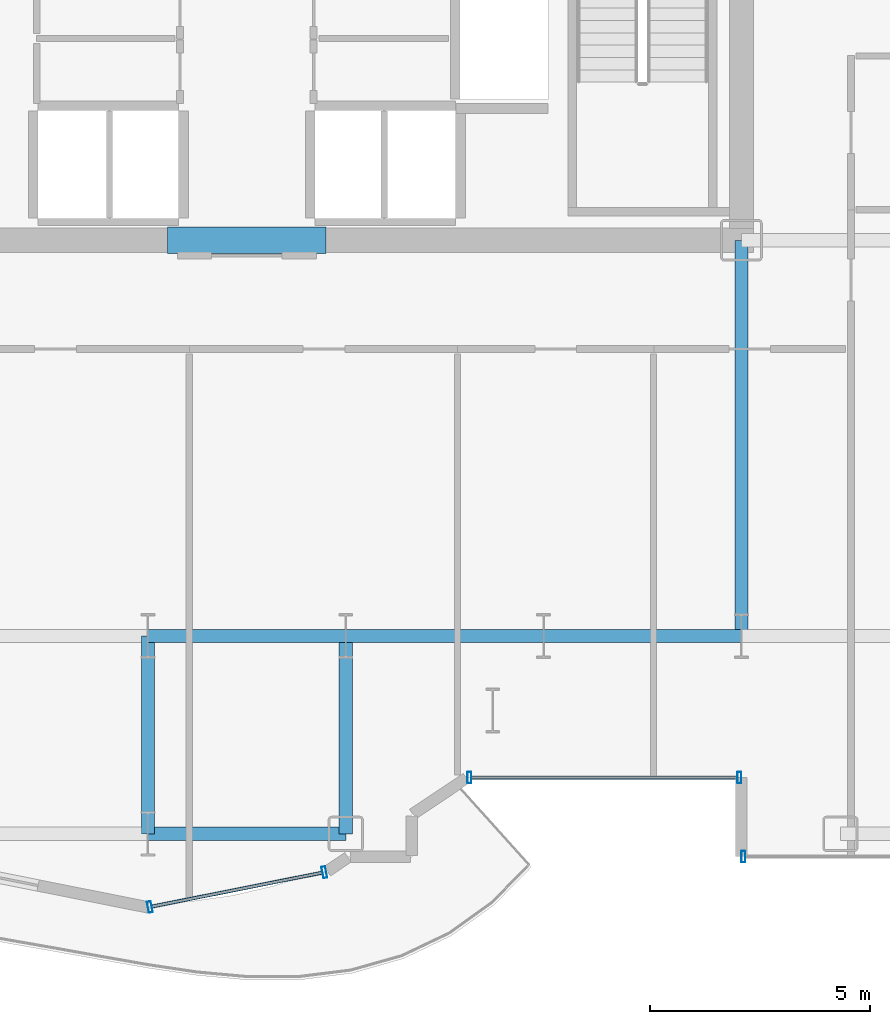
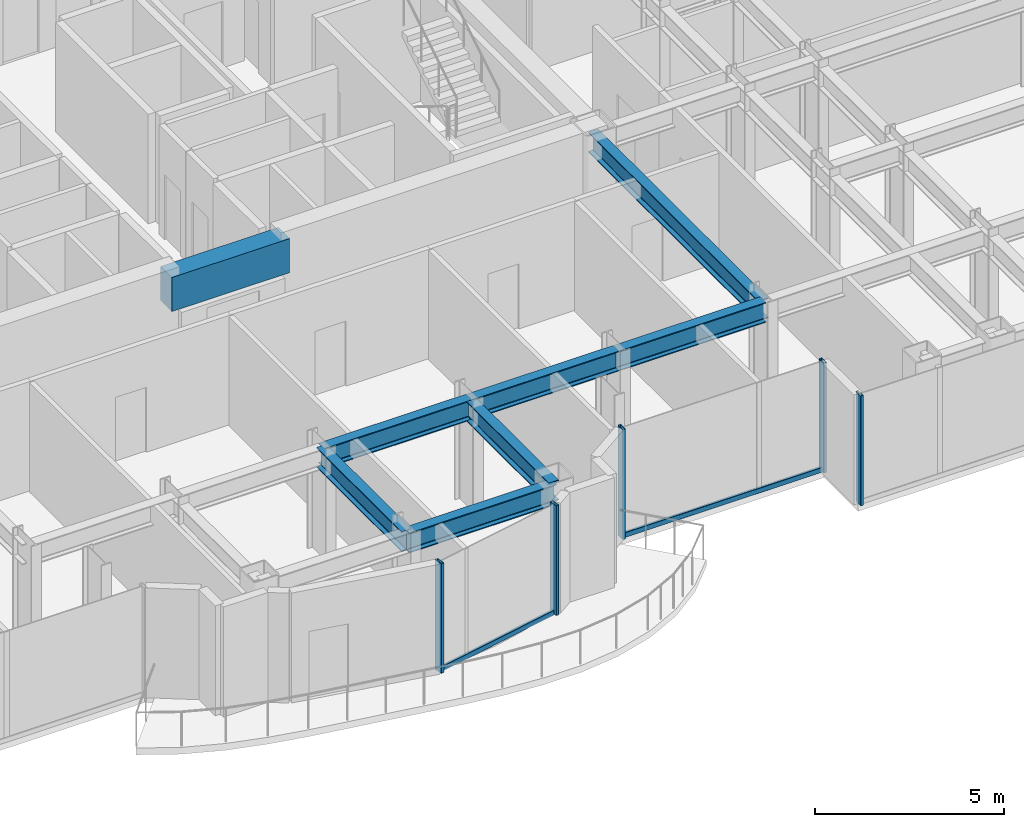
# One storey, part 8 of 29: 8 beams, 7 members, 3 elements without a shape of their own.
"""IFC4 building model written with IfcOpenShell, lengths in metres."""

from ifc_helpers import new_model, si_unit, direction, frame, origin, origin_2d, place, context, subcontext, project, spatial, rectangle, hollow_rectangle, i_section, extrude, source, transform, mapped, material, layer, layer_set, material_profile, profile_set, type_object, element, aggregate, save


model = new_model("IFC4")

# Units and contexts
model_context = context("Model", 3, precision=1e-05, world=origin(), true_north=direction((0.0, 1.0)))
body_context = subcontext(model_context, "Body", "Model", "MODEL_VIEW")
ifc_project = project(units=[si_unit("LENGTHUNIT", "METRE"), si_unit("AREAUNIT", "SQUARE_METRE"), si_unit("VOLUMEUNIT", "CUBIC_METRE"), si_unit("PLANEANGLEUNIT", "RADIAN"), si_unit("MASSUNIT", "GRAM", prefix="KILO")], contexts=[model_context])

# Site, building, storey
site_placement = place(None, origin())
site = spatial("IfcSite", under=ifc_project, at=site_placement, CompositionType="ELEMENT")
building_placement = place(site_placement, origin())
building = spatial("IfcBuilding", under=site, at=building_placement, Name="Nefas-Gora Pilgrimage Tower", CompositionType="ELEMENT")
storey_placement = place(building_placement, frame((0.0, 0.0, 125.0)))
storey = spatial("IfcBuildingStorey", under=building, at=storey_placement, Name="L30", CompositionType="ELEMENT", Elevation=125.0)

# Beams
ifc_material_1 = material(Name="Concrete C60/75", Category="concrete")
ifc_material_profile_1 = material_profile(ifc_material_1, rectangle(XDim=0.60009765625, YDim=1.10009765625, at=origin_2d()), Name="RC 600x1100")
ifc_profile_set_1 = profile_set([ifc_material_profile_1], Name="Concrete C60/75")
beam_type_1 = type_object("IfcBeamType", Name="BM-LIN-RC1100", PredefinedType="LINTEL", material=ifc_profile_set_1)
shared_shape_1 = source(origin(), body_context, "Body", "SweptSolid", [
    extrude(rectangle(XDim=0.60009765625, YDim=1.10009765625, at=origin_2d()), origin(), (0.0, 0.0, 1.0), 3.60009765625),
])
beam_1_placement = place(storey_placement, frame((-1.800048828125, -9.0, 3.0), z_axis=(1.0, 0.0, 0.0), x_axis=(0.0, 1.0, 0.0)))
element("IfcBeam", 1, at=beam_1_placement, inside=storey, type_object=beam_type_1, Name="L30 Core Coupling Lintel Beam S", PredefinedType="LINTEL", context=body_context, shape_type="MappedRepresentation", body=[
    mapped(shared_shape_1, transform((0.0, 0.0, 0.0), x_axis=(1.0, 0.0, 0.0), y_axis=(0.0, 1.0, 0.0), z_axis=(0.0, 0.0, 1.0), scale=1.0)),
])
ifc_material_2 = material(Name="Steel S355", Category="steel")
ifc_material_profile_2 = material_profile(ifc_material_2, i_section(OverallWidth=0.300048828125, OverallDepth=0.64990234375, WebThickness=0.01611328125, FlangeThickness=0.031005859375, FilletRadius=0.027099609375, at=origin_2d()), Name="HEB 650")
ifc_profile_set_2 = profile_set([ifc_material_profile_2], Name="Steel S355")
beam_type_2 = type_object("IfcBeamType", Name="BM-GIR-HEB650", PredefinedType="BEAM", material=ifc_profile_set_2)
shared_shape_2 = source(origin(), body_context, "Body", "SweptSolid", [
    extrude(i_section(OverallWidth=0.300048828125, OverallDepth=0.64990234375, WebThickness=0.01611328125, FlangeThickness=0.031005859375, FilletRadius=0.027099609375, at=origin_2d()), origin(), (0.0, 0.0, 1.0), 9.0),
])
beam_2_placement = place(storey_placement, frame((11.25, -18.0, 3.22509765625), z_axis=(0.0, 1.0, 0.0), x_axis=(-1.0, 0.0, 0.0)))
element("IfcBeam", 2, at=beam_2_placement, inside=storey, type_object=beam_type_2, Name="L30 G-03 beam", PredefinedType="BEAM", context=body_context, shape_type="MappedRepresentation", body=[
    mapped(shared_shape_2, transform((0.0, 0.0, 0.0), x_axis=(1.0, 0.0, 0.0), y_axis=(0.0, 1.0, 0.0), z_axis=(0.0, 0.0, 1.0), scale=1.0)),
])
shared_shape_3 = source(origin(), body_context, "Body", "SweptSolid", [
    extrude(i_section(OverallWidth=0.300048828125, OverallDepth=0.64990234375, WebThickness=0.01611328125, FlangeThickness=0.031005859375, FilletRadius=0.027099609375, at=origin_2d()), origin(), (0.0, 0.0, 1.0), 4.5),
])
for number, where, z_axis, x_axis, name in (
    (3, (-2.25, -22.5, 3.22509765625), (0.0, 1.0, 0.0), (-1.0, 0.0, 0.0), "L30 G-03 beam"),
    (4, (-2.25, -22.5, 3.22509765625), (1.0, 0.0, 0.0), (0.0, 1.0, 0.0), "L30 G-03 beam"),
    (5, (-2.25, -18.0, 3.22509765625), (1.0, 0.0, 0.0), (0.0, 1.0, 0.0), "L30 G-03 beam"),
    (6, (2.25, -22.5, 3.22509765625), (0.0, 1.0, 0.0), (-1.0, 0.0, 0.0), "L30 G-03 beam"),
    (7, (2.25, -18.0, 3.22509765625), (1.0, 0.0, 0.0), (0.0, 1.0, 0.0), "L30 G-03 beam"),
    (8, (6.75, -18.0, 3.22509765625), (1.0, 0.0, 0.0), (0.0, 1.0, 0.0), "L30 G-03 beam"),
):
    element("IfcBeam", number, at=place(storey_placement, frame(where, z_axis=z_axis, x_axis=x_axis)), inside=storey, type_object=beam_type_2, Name=name, PredefinedType="BEAM", context=body_context, shape_type="MappedRepresentation", body=[
        mapped(shared_shape_3, transform((0.0, 0.0, 0.0), x_axis=(1.0, 0.0, 0.0), y_axis=(0.0, 1.0, 0.0), z_axis=(0.0, 0.0, 1.0), scale=1.0)),
    ])

# Curtain wall, members
ifc_material_3 = material(Name="Dark ceramic-fritted solar-control aluminium-glass curtain wall", Category="aluminium")
ifc_layer_1 = layer(ifc_material_3, 0.219970703125)
ifc_layer_set_1 = layer_set([ifc_layer_1], Name="Dark ceramic-fritted solar-control aluminium-glass curtain wall")
curtain_wall_type_1 = type_object("IfcCurtainWallType", Name="CW-SYS-5", PredefinedType="NOTDEFINED", material=ifc_layer_set_1)
curtain_wall_1_placement = place(storey_placement, origin())
curtain_wall_1 = element("IfcCurtainWall", 9, at=curtain_wall_1_placement, inside=storey, type_object=curtain_wall_type_1, Name="L30 Unitised Curtain Wall CW5", PredefinedType="NOTDEFINED")
ifc_material_4 = material(Name="Anodised architectural aluminium", Category="aluminium")
ifc_material_profile_3 = material_profile(ifc_material_4, hollow_rectangle(XDim=0.090087890625, YDim=0.260009765625, WallThickness=0.006103515625, InnerFilletRadius=0.006103515625, OuterFilletRadius=0.011962890625, at=origin_2d()), Name="ALU MULLION 90x260")
ifc_profile_set_3 = profile_set([ifc_material_profile_3], Name="Anodised architectural aluminium")
member_type_1 = type_object("IfcMemberType", Name="CWM-MUL-5", PredefinedType="MULLION", material=ifc_profile_set_3)
shared_shape_4 = source(origin(), body_context, "Body", "SweptSolid", [
    extrude(hollow_rectangle(XDim=0.090087890625, YDim=0.260009765625, WallThickness=0.006103515625, InnerFilletRadius=0.006103515625, OuterFilletRadius=0.011962890625, at=origin_2d()), origin(), (0.0, 0.0, 1.0), 3.550048828125),
])
member_1_placement = place(storey_placement, frame((5.06298828125, -21.219970703125, 0.0), z_axis=(0.0, 0.0, 1.0), x_axis=(1.0, 0.0, 0.0)))
member_1 = element("IfcMember", 10, at=member_1_placement, type_object=member_type_1, Name="CW5 Mullion 1", PredefinedType="MULLION", context=body_context, shape_type="MappedRepresentation", body=[
    mapped(shared_shape_4, transform((0.0, 0.0, 0.0), x_axis=(1.0, 0.0, 0.0), y_axis=(0.0, 1.0, 0.0), z_axis=(0.0, 0.0, 1.0), scale=1.0)),
])
member_2_placement = place(storey_placement, frame((11.205078125, -21.219970703125, 0.0), z_axis=(0.0, 0.0, 1.0), x_axis=(1.0, 0.0, 0.0)))
member_2 = element("IfcMember", 11, at=member_2_placement, type_object=member_type_1, Name="CW5 Mullion 2", PredefinedType="MULLION", context=body_context, shape_type="MappedRepresentation", body=[
    mapped(shared_shape_4, transform((0.0, 0.0, 0.0), x_axis=(1.0, 0.0, 0.0), y_axis=(0.0, 1.0, 0.0), z_axis=(0.0, 0.0, 1.0), scale=1.0)),
])

curtain_wall_2_placement = place(storey_placement, origin())
curtain_wall_2 = element("IfcCurtainWall", 12, at=curtain_wall_2_placement, inside=storey, type_object=curtain_wall_type_1, Name="L30 Unitised Curtain Wall CW5", PredefinedType="NOTDEFINED")
member_3_placement = place(storey_placement, frame((-2.205810546875, -24.16357421875, 0.0), z_axis=(0.0, 0.0, 1.0), x_axis=(0.980782896852, 0.195102304554, 0.0)))
member_3 = element("IfcMember", 13, at=member_3_placement, type_object=member_type_1, Name="CW5 Mullion 1", PredefinedType="MULLION", context=body_context, shape_type="MappedRepresentation", body=[
    mapped(shared_shape_4, transform((0.0, 0.0, 0.0), x_axis=(1.0, 0.0, 0.0), y_axis=(0.0, 1.0, 0.0), z_axis=(0.0, 0.0, 1.0), scale=1.0)),
])
member_4_placement = place(storey_placement, frame((1.76318359375, -23.3740234375, 0.0), z_axis=(0.0, 0.0, 1.0), x_axis=(0.980782896852, 0.195102304554, 0.0)))
member_4 = element("IfcMember", 14, at=member_4_placement, type_object=member_type_1, Name="CW5 Mullion 2", PredefinedType="MULLION", context=body_context, shape_type="MappedRepresentation", body=[
    mapped(shared_shape_4, transform((0.0, 0.0, 0.0), x_axis=(1.0, 0.0, 0.0), y_axis=(0.0, 1.0, 0.0), z_axis=(0.0, 0.0, 1.0), scale=1.0)),
])

# Member
ifc_material_profile_4 = material_profile(ifc_material_4, hollow_rectangle(XDim=0.080078125, YDim=0.159912109375, WallThickness=0.00439453125, InnerFilletRadius=0.00439453125, OuterFilletRadius=0.009033203125, at=origin_2d()), Name="ALU TRANSOM 80x160")
ifc_profile_set_4 = profile_set([ifc_material_profile_4], Name="Anodised architectural aluminium")
member_type_2 = type_object("IfcMemberType", Name="CWM-TRN-5", PredefinedType="USERDEFINED", material=ifc_profile_set_4)
shared_shape_5 = source(origin(), body_context, "Body", "SweptSolid", [
    extrude(hollow_rectangle(XDim=0.080078125, YDim=0.159912109375, WallThickness=0.00439453125, InnerFilletRadius=0.00439453125, OuterFilletRadius=0.009033203125, at=origin_2d()), origin(), (0.0, 0.0, 1.0), 6.052001953125),
])
member_5_placement = place(storey_placement, frame((5.10791015625, -21.219970703125, 0.050048828125), z_axis=(1.0, 0.0, 0.0), x_axis=(0.0, 1.0, 0.0)))
member_5 = element("IfcMember", 15, at=member_5_placement, type_object=member_type_2, Name="CW5 Spandrel Transom", ObjectType="TRANSOM", PredefinedType="USERDEFINED", context=body_context, shape_type="MappedRepresentation", body=[
    mapped(shared_shape_5, transform((0.0, 0.0, 0.0), x_axis=(1.0, 0.0, 0.0), y_axis=(0.0, 1.0, 0.0), z_axis=(0.0, 0.0, 1.0), scale=1.0)),
])

aggregate(curtain_wall_1, [member_1, member_2, member_5])

# Curtain wall, member
ifc_layer_2 = layer(ifc_material_3, 0.219970703125)
ifc_layer_set_2 = layer_set([ifc_layer_2], Name="Dark ceramic-fritted solar-control aluminium-glass curtain wall")
curtain_wall_type_2 = type_object("IfcCurtainWallType", Name="CW-SYS-2", PredefinedType="NOTDEFINED", material=ifc_layer_set_2)
curtain_wall_3_placement = place(storey_placement, origin())
curtain_wall_3 = element("IfcCurtainWall", 16, at=curtain_wall_3_placement, inside=storey, type_object=curtain_wall_type_2, Name="L30 Unitised Curtain Wall CW2", PredefinedType="NOTDEFINED")
ifc_material_profile_5 = material_profile(ifc_material_4, hollow_rectangle(XDim=0.090087890625, YDim=0.260009765625, WallThickness=0.006103515625, InnerFilletRadius=0.006103515625, OuterFilletRadius=0.011962890625, at=origin_2d()), Name="ALU MULLION 90x260")
ifc_profile_set_5 = profile_set([ifc_material_profile_5], Name="Anodised architectural aluminium")
member_type_3 = type_object("IfcMemberType", Name="CWM-MUL-2", PredefinedType="MULLION", material=ifc_profile_set_5)
shared_shape_6 = source(origin(), body_context, "Body", "SweptSolid", [
    extrude(hollow_rectangle(XDim=0.090087890625, YDim=0.260009765625, WallThickness=0.006103515625, InnerFilletRadius=0.006103515625, OuterFilletRadius=0.011962890625, at=origin_2d()), origin(), (0.0, 0.0, 1.0), 3.550048828125),
])
member_6_placement = place(storey_placement, frame((11.294921875, -23.02001953125, 0.0), z_axis=(0.0, 0.0, 1.0), x_axis=(1.0, 0.0, 0.0)))
member_6 = element("IfcMember", 17, at=member_6_placement, type_object=member_type_3, Name="CW2 Mullion 1", PredefinedType="MULLION", context=body_context, shape_type="MappedRepresentation", body=[
    mapped(shared_shape_6, transform((0.0, 0.0, 0.0), x_axis=(1.0, 0.0, 0.0), y_axis=(0.0, 1.0, 0.0), z_axis=(0.0, 0.0, 1.0), scale=1.0)),
])
aggregate(curtain_wall_3, [member_6])

# Member
shared_shape_7 = source(origin(), body_context, "Body", "SweptSolid", [
    extrude(hollow_rectangle(XDim=0.080078125, YDim=0.159912109375, WallThickness=0.00439453125, InnerFilletRadius=0.00439453125, OuterFilletRadius=0.009033203125, at=origin_2d()), origin(), (0.0, 0.0, 1.0), 3.95654296875),
])
member_7_placement = place(storey_placement, frame((-2.16162109375, -24.15478515625, 0.050048828125), z_axis=(0.980781880918, 0.195107411605, 0.0), x_axis=(-0.195107411605, 0.980781880918, 0.0)))
member_7 = element("IfcMember", 18, at=member_7_placement, type_object=member_type_2, Name="CW5 Spandrel Transom", ObjectType="TRANSOM", PredefinedType="USERDEFINED", context=body_context, shape_type="MappedRepresentation", body=[
    mapped(shared_shape_7, transform((0.0, 0.0, 0.0), x_axis=(1.0, 0.0, 0.0), y_axis=(0.0, 1.0, 0.0), z_axis=(0.0, 0.0, 1.0), scale=1.0)),
])

aggregate(curtain_wall_2, [member_3, member_4, member_7])

save(model, "model.ifc")
